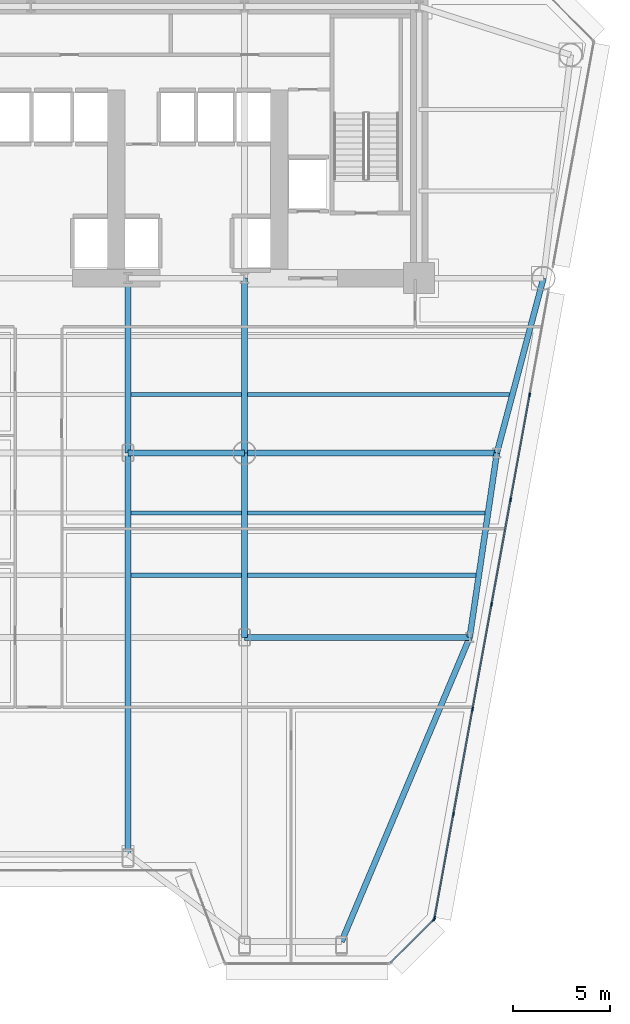
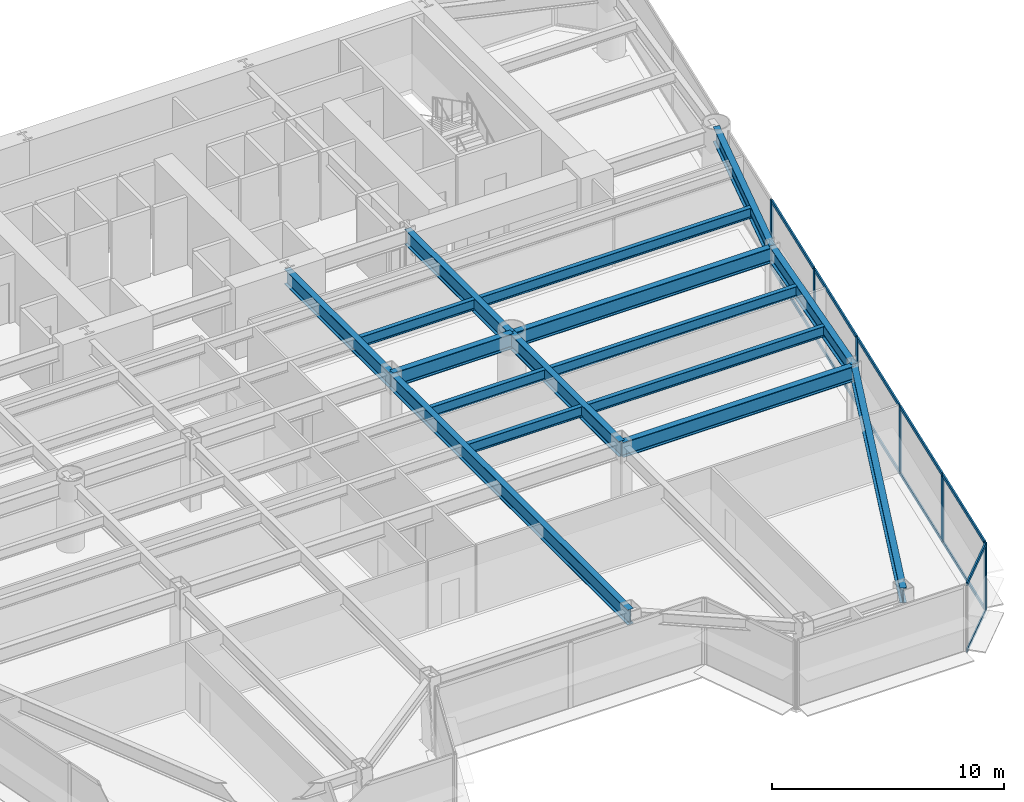
# One storey, part 4 of 14: 19 members, 16 beams, 2 elements without a shape of their own.
"""IFC4 building model written with IfcOpenShell, lengths in metres."""

from ifc_helpers import new_model, si_unit, direction, frame, origin, origin_2d, place, context, subcontext, project, spatial, rectangle, i_section, extrude, source, transform, mapped, material, layer, layer_set, material_profile, profile_set, type_object, element, aggregate, save


model = new_model("IFC4")

# Units and contexts
model_context = context("Model", 3, precision=1e-05, world=origin(), true_north=direction((0.0, 1.0)))
body_context = subcontext(model_context, "Body", "Model", "MODEL_VIEW")
ifc_project = project(units=[si_unit("LENGTHUNIT", "METRE"), si_unit("AREAUNIT", "SQUARE_METRE"), si_unit("VOLUMEUNIT", "CUBIC_METRE"), si_unit("PLANEANGLEUNIT", "RADIAN"), si_unit("MASSUNIT", "GRAM", prefix="KILO")], contexts=[model_context])

# Site, building, storey
site_placement = place(None, origin())
site = spatial("IfcSite", under=ifc_project, at=site_placement, CompositionType="ELEMENT")
building_placement = place(site_placement, origin())
building = spatial("IfcBuilding", under=site, at=building_placement, Name="Vaeldorn Concourse Tower", CompositionType="ELEMENT")
storey_placement = place(building_placement, frame((0.0, 0.0, 37.800048828125)))
storey = spatial("IfcBuildingStorey", under=building, at=storey_placement, Name="L09", CompositionType="ELEMENT", Elevation=37.800048828125)

# Beams
ifc_material_1 = material(Name="Steel S355", Category="steel")
ifc_material_profile_1 = material_profile(ifc_material_1, i_section(OverallWidth=0.300048828125, OverallDepth=0.800048828125, WebThickness=0.017578125, FlangeThickness=0.032958984375, FilletRadius=0.030029296875, at=origin_2d()), Name="HEB 800")
ifc_profile_set_1 = profile_set([ifc_material_profile_1], Name="Steel S355")
beam_type_1 = type_object("IfcBeamType", Name="BM-PG-HEB800", PredefinedType="BEAM", material=ifc_profile_set_1)
shared_shape_1 = source(origin(), body_context, "Body", "SweptSolid", [
    extrude(i_section(OverallWidth=0.300048828125, OverallDepth=0.800048828125, WebThickness=0.017578125, FlangeThickness=0.032958984375, FilletRadius=0.030029296875, at=origin_2d()), origin(), (0.0, 0.0, 1.0), 6.0),
])
beam_1_placement = place(storey_placement, frame((39.0, 27.5, 3.179931640625), z_axis=(1.0, 0.0, 0.0), x_axis=(0.0, 1.0, 0.0)))
element("IfcBeam", 1, at=beam_1_placement, inside=storey, type_object=beam_type_1, Name="Beam BM-L09-C-TW3-C-TW4", PredefinedType="BEAM", context=body_context, shape_type="MappedRepresentation", body=[
    mapped(shared_shape_1, transform((0.0, 0.0, 0.0), scale=1.0)),
])
shared_shape_2 = source(origin(), body_context, "Body", "SweptSolid", [
    extrude(i_section(OverallWidth=0.300048828125, OverallDepth=0.800048828125, WebThickness=0.017578125, FlangeThickness=0.032958984375, FilletRadius=0.030029296875, at=origin_2d()), origin(), (0.0, 0.0, 1.0), 9.0),
])
for number, where, z_axis, x_axis, name in (
    (2, (39.0, 27.5, 3.179931640625), (0.0, 1.0, 0.0), (-1.0, 0.0, 0.0), "Beam BM-L09-C-TW3-C-FC4"),
    (3, (45.0, 27.5, 3.179931640625), (0.0, 1.0, 0.0), (-1.0, 0.0, 0.0), "Beam BM-L09-C-TW4-C-FC5"),
):
    element("IfcBeam", number, at=place(storey_placement, frame(where, z_axis=z_axis, x_axis=x_axis)), inside=storey, type_object=beam_type_1, Name=name, PredefinedType="BEAM", context=body_context, shape_type="MappedRepresentation", body=[
        mapped(shared_shape_2, transform((0.0, 0.0, 0.0), scale=1.0)),
    ])
shared_shape_3 = source(origin(), body_context, "Body", "SweptSolid", [
    extrude(i_section(OverallWidth=0.300048828125, OverallDepth=0.800048828125, WebThickness=0.017578125, FlangeThickness=0.032958984375, FilletRadius=0.030029296875, at=origin_2d()), origin(), (0.0, 0.0, 1.0), 9.314453125),
])
beam_2_placement = place(storey_placement, frame((60.39990234375, 36.5, 3.179931640625), z_axis=(-0.257652862255, -0.966237549763, 0.0), x_axis=(0.966237549763, -0.257652862255, 0.0)))
element("IfcBeam", 4, at=beam_2_placement, inside=storey, type_object=beam_type_1, Name="Beam BM-L09-C-NE2-C-FLE1", PredefinedType="BEAM", context=body_context, shape_type="MappedRepresentation", body=[
    mapped(shared_shape_3, transform((0.0, 0.0, 0.0), scale=1.0)),
])
shared_shape_4 = source(origin(), body_context, "Body", "SweptSolid", [
    extrude(i_section(OverallWidth=0.300048828125, OverallDepth=0.800048828125, WebThickness=0.017578125, FlangeThickness=0.032958984375, FilletRadius=0.030029296875, at=origin_2d()), origin(), (0.0, 0.0, 1.0), 13.0),
])
beam_3_placement = place(storey_placement, frame((45.0, 27.5, 3.179931640625), z_axis=(1.0, 0.0, 0.0), x_axis=(0.0, 1.0, 0.0)))
element("IfcBeam", 5, at=beam_3_placement, inside=storey, type_object=beam_type_1, Name="Beam BM-L09-C-TW4-C-FLE1", PredefinedType="BEAM", context=body_context, shape_type="MappedRepresentation", body=[
    mapped(shared_shape_4, transform((0.0, 0.0, 0.0), scale=1.0)),
])
shared_shape_5 = source(origin(), body_context, "Body", "SweptSolid", [
    extrude(i_section(OverallWidth=0.300048828125, OverallDepth=0.800048828125, WebThickness=0.017578125, FlangeThickness=0.032958984375, FilletRadius=0.030029296875, at=origin_2d()), origin(), (0.0, 0.0, 1.0), 9.6025390625),
])
beam_4_placement = place(storey_placement, frame((58.0, 27.5, 3.179931640625), z_axis=(-0.145783835977, -0.989316467652, 0.0), x_axis=(0.989316467652, -0.145783835977, 0.0)))
element("IfcBeam", 6, at=beam_4_placement, inside=storey, type_object=beam_type_1, Name="Beam BM-L09-C-FLE1-C-FLE2", PredefinedType="BEAM", context=body_context, shape_type="MappedRepresentation", body=[
    mapped(shared_shape_5, transform((0.0, 0.0, 0.0), scale=1.0)),
])
shared_shape_6 = source(origin(), body_context, "Body", "SweptSolid", [
    extrude(i_section(OverallWidth=0.300048828125, OverallDepth=0.800048828125, WebThickness=0.017578125, FlangeThickness=0.032958984375, FilletRadius=0.030029296875, at=origin_2d()), origin(), (0.0, 0.0, 1.0), 11.60009765625),
])
beam_5_placement = place(storey_placement, frame((45.0, 18.0, 3.179931640625), z_axis=(1.0, 0.0, 0.0), x_axis=(0.0, 1.0, 0.0)))
element("IfcBeam", 7, at=beam_5_placement, inside=storey, type_object=beam_type_1, Name="Beam BM-L09-C-TW6-C-FLE2", PredefinedType="BEAM", context=body_context, shape_type="MappedRepresentation", body=[
    mapped(shared_shape_6, transform((0.0, 0.0, 0.0), scale=1.0)),
])
shared_shape_7 = source(origin(), body_context, "Body", "SweptSolid", [
    extrude(i_section(OverallWidth=0.300048828125, OverallDepth=0.800048828125, WebThickness=0.017578125, FlangeThickness=0.032958984375, FilletRadius=0.030029296875, at=origin_2d()), origin(), (0.0, 0.0, 1.0), 9.5),
])
beam_6_placement = place(storey_placement, frame((45.0, 18.0, 3.179931640625), z_axis=(0.0, 1.0, 0.0), x_axis=(-1.0, 0.0, 0.0)))
element("IfcBeam", 8, at=beam_6_placement, inside=storey, type_object=beam_type_1, Name="Beam BM-L09-C-TW6-C-TW4", PredefinedType="BEAM", context=body_context, shape_type="MappedRepresentation", body=[
    mapped(shared_shape_7, transform((0.0, 0.0, 0.0), scale=1.0)),
])
ifc_material_profile_2 = material_profile(ifc_material_1, i_section(OverallWidth=0.2099609375, OverallDepth=0.550048828125, WebThickness=0.010986328125, FlangeThickness=0.01708984375, FilletRadius=0.02392578125, at=origin_2d()), Name="IPE 550")
ifc_profile_set_2 = profile_set([ifc_material_profile_2], Name="Steel S355")
beam_type_2 = type_object("IfcBeamType", Name="BM-JS-IPE550", PredefinedType="JOIST", material=ifc_profile_set_2)
shared_shape_8 = source(origin(), body_context, "Body", "SweptSolid", [
    extrude(i_section(OverallWidth=0.2099609375, OverallDepth=0.550048828125, WebThickness=0.010986328125, FlangeThickness=0.01708984375, FilletRadius=0.02392578125, at=origin_2d()), origin(), (0.0, 0.0, 1.0), 11.771728515625),
])
beam_7_placement = place(storey_placement, frame((45.14990234375, 21.199951171875, 3.304931640625), z_axis=(1.0, 0.0, 0.0), x_axis=(0.0, 1.0, 0.0)))
element("IfcBeam", 9, at=beam_7_placement, inside=storey, type_object=beam_type_2, Name="Beam JS-L09-E1-212", PredefinedType="JOIST", context=body_context, shape_type="MappedRepresentation", body=[
    mapped(shared_shape_8, transform((0.0, 0.0, 0.0), scale=1.0)),
])
shared_shape_9 = source(origin(), body_context, "Body", "SweptSolid", [
    extrude(i_section(OverallWidth=0.2099609375, OverallDepth=0.550048828125, WebThickness=0.010986328125, FlangeThickness=0.01708984375, FilletRadius=0.02392578125, at=origin_2d()), origin(), (0.0, 0.0, 1.0), 5.7001953125),
])
for number, where, z_axis, x_axis, name in (
    (10, (39.14990234375, 21.199951171875, 3.304931640625), (1.0, 0.0, 0.0), (0.0, 1.0, 0.0), "Beam JS-L09-E2-212"),
    (11, (39.14990234375, 24.39990234375, 3.304931640625), (1.0, 0.0, 0.0), (0.0, 1.0, 0.0), "Beam JS-L09-E2-244"),
    (12, (39.14990234375, 30.5, 3.304931640625), (1.0, 0.0, 0.0), (0.0, 1.0, 0.0), "Beam JS-L09-E2-305"),
):
    element("IfcBeam", number, at=place(storey_placement, frame(where, z_axis=z_axis, x_axis=x_axis)), inside=storey, type_object=beam_type_2, Name=name, PredefinedType="JOIST", context=body_context, shape_type="MappedRepresentation", body=[
        mapped(shared_shape_9, transform((0.0, 0.0, 0.0), scale=1.0)),
    ])
shared_shape_10 = source(origin(), body_context, "Body", "SweptSolid", [
    extrude(i_section(OverallWidth=0.2099609375, OverallDepth=0.550048828125, WebThickness=0.010986328125, FlangeThickness=0.01708984375, FilletRadius=0.02392578125, at=origin_2d()), origin(), (0.0, 0.0, 1.0), 12.243408203125),
])
beam_8_placement = place(storey_placement, frame((45.14990234375, 24.39990234375, 3.304931640625), z_axis=(1.0, 0.0, 0.0), x_axis=(0.0, 1.0, 0.0)))
element("IfcBeam", 13, at=beam_8_placement, inside=storey, type_object=beam_type_2, Name="Beam JS-L09-E1-244", PredefinedType="JOIST", context=body_context, shape_type="MappedRepresentation", body=[
    mapped(shared_shape_10, transform((0.0, 0.0, 0.0), scale=1.0)),
])
shared_shape_11 = source(origin(), body_context, "Body", "SweptSolid", [
    extrude(i_section(OverallWidth=0.2099609375, OverallDepth=0.550048828125, WebThickness=0.010986328125, FlangeThickness=0.01708984375, FilletRadius=0.02392578125, at=origin_2d()), origin(), (0.0, 0.0, 1.0), 13.5),
])
beam_9_placement = place(storey_placement, frame((45.14990234375, 30.5, 3.304931640625), z_axis=(1.0, 0.0, 0.0), x_axis=(0.0, 1.0, 0.0)))
element("IfcBeam", 14, at=beam_9_placement, inside=storey, type_object=beam_type_2, Name="Beam JS-L09-E1-305", PredefinedType="JOIST", context=body_context, shape_type="MappedRepresentation", body=[
    mapped(shared_shape_11, transform((0.0, 0.0, 0.0), scale=1.0)),
])
shared_shape_12 = source(origin(), body_context, "Body", "SweptSolid", [
    extrude(i_section(OverallWidth=0.300048828125, OverallDepth=0.800048828125, WebThickness=0.017578125, FlangeThickness=0.032958984375, FilletRadius=0.030029296875, at=origin_2d()), origin(), (0.0, 0.0, 1.0), 16.9990234375),
])
beam_10_placement = place(storey_placement, frame((50.0, 2.33447265625, 3.179931640625), z_axis=(0.388261166886, 0.921549383532, 0.0), x_axis=(-0.921549383532, 0.388261166886, 0.0)))
element("IfcBeam", 15, at=beam_10_placement, inside=storey, type_object=beam_type_1, Name="Beam BM-L09-C-SF6-C-FLE2", PredefinedType="BEAM", context=body_context, shape_type="MappedRepresentation", body=[
    mapped(shared_shape_12, transform((0.0, 0.0, 0.0), scale=1.0)),
])
shared_shape_13 = source(origin(), body_context, "Body", "SweptSolid", [
    extrude(i_section(OverallWidth=0.300048828125, OverallDepth=0.800048828125, WebThickness=0.017578125, FlangeThickness=0.032958984375, FilletRadius=0.030029296875, at=origin_2d()), origin(), (0.0, 0.0, 1.0), 20.66552734375),
])
beam_11_placement = place(storey_placement, frame((39.0, 6.83447265625, 3.179931640625), z_axis=(0.0, 1.0, 0.0), x_axis=(-1.0, 0.0, 0.0)))
element("IfcBeam", 16, at=beam_11_placement, inside=storey, type_object=beam_type_1, Name="Beam BM-L09-C-SF4-C-TW3", PredefinedType="BEAM", context=body_context, shape_type="MappedRepresentation", body=[
    mapped(shared_shape_13, transform((0.0, 0.0, 0.0), scale=1.0)),
])

# Curtain wall, member
ifc_material_2 = material(Name="Anodised Bronze Aluminium", Category="aluminium")
ifc_layer = layer(ifc_material_2, 0.219970703125)
ifc_layer_set = layer_set([ifc_layer], Name="Anodised Bronze Aluminium")
curtain_wall_type = type_object("IfcCurtainWallType", Name="CW-SYS-01", PredefinedType="NOTDEFINED", material=ifc_layer_set)
curtain_wall_1_placement = place(storey_placement, origin())
curtain_wall_1 = element("IfcCurtainWall", 17, at=curtain_wall_1_placement, inside=storey, type_object=curtain_wall_type, Name="Unitised Curtain Wall CW-L09-E06-1", PredefinedType="NOTDEFINED")
ifc_material_profile_3 = material_profile(ifc_material_2, rectangle(XDim=0.074951171875, YDim=0.219970703125, at=origin_2d()), Name="CWM 75x220")
ifc_profile_set_3 = profile_set([ifc_material_profile_3], Name="Anodised Bronze Aluminium")
member_type_1 = type_object("IfcMemberType", Name="CWM-BRONZE-220", PredefinedType="MULLION", material=ifc_profile_set_3)
shared_shape_14 = source(origin(), body_context, "Body", "SweptSolid", [
    extrude(rectangle(XDim=0.074951171875, YDim=0.219970703125, at=origin_2d()), origin(), (0.0, 0.0, 1.0), 3.579833984375),
])
member_1_placement = place(storey_placement, frame((54.755615234375, 3.468994140625, 0.0), z_axis=(0.0, 0.0, 1.0), x_axis=(-0.707106781187, 0.707106781187, 0.0)))
member_1 = element("IfcMember", 18, at=member_1_placement, type_object=member_type_1, Name="CW-01 mullion 2", PredefinedType="MULLION", context=body_context, shape_type="MappedRepresentation", body=[
    mapped(shared_shape_14, transform((0.0, 0.0, 0.0), scale=1.0)),
])

# Curtain wall, members
curtain_wall_2_placement = place(storey_placement, origin())
curtain_wall_2 = element("IfcCurtainWall", 19, at=curtain_wall_2_placement, inside=storey, type_object=curtain_wall_type, Name="Unitised Curtain Wall CW-L09-E07-1", PredefinedType="NOTDEFINED")
member_2_placement = place(storey_placement, frame((54.788818359375, 3.5322265625, 0.0), z_axis=(0.0, 0.0, 1.0), x_axis=(-0.98387472201, 0.178858970673, 0.0)))
member_2 = element("IfcMember", 20, at=member_2_placement, type_object=member_type_1, Name="CW-01 mullion 1", PredefinedType="MULLION", context=body_context, shape_type="MappedRepresentation", body=[
    mapped(shared_shape_14, transform((0.0, 0.0, 0.0), scale=1.0)),
])
member_3_placement = place(storey_placement, frame((55.763427734375, 8.892822265625, 0.0), z_axis=(0.0, 0.0, 1.0), x_axis=(-0.98387472201, 0.178858970673, 0.0)))
member_3 = element("IfcMember", 21, at=member_3_placement, type_object=member_type_1, Name="CW-01 mullion 2", PredefinedType="MULLION", context=body_context, shape_type="MappedRepresentation", body=[
    mapped(shared_shape_14, transform((0.0, 0.0, 0.0), scale=1.0)),
])
member_4_placement = place(storey_placement, frame((56.74462890625, 14.29052734375, 0.0), z_axis=(0.0, 0.0, 1.0), x_axis=(-0.98387472201, 0.178858970673, 0.0)))
member_4 = element("IfcMember", 22, at=member_4_placement, type_object=member_type_1, Name="CW-01 mullion 3", PredefinedType="MULLION", context=body_context, shape_type="MappedRepresentation", body=[
    mapped(shared_shape_14, transform((0.0, 0.0, 0.0), scale=1.0)),
])
member_5_placement = place(storey_placement, frame((57.725830078125, 19.68798828125, 0.0), z_axis=(0.0, 0.0, 1.0), x_axis=(-0.98387472201, 0.178858970673, 0.0)))
member_5 = element("IfcMember", 23, at=member_5_placement, type_object=member_type_1, Name="CW-01 mullion 4", PredefinedType="MULLION", context=body_context, shape_type="MappedRepresentation", body=[
    mapped(shared_shape_14, transform((0.0, 0.0, 0.0), scale=1.0)),
])
member_6_placement = place(storey_placement, frame((58.70703125, 25.08544921875, 0.0), z_axis=(0.0, 0.0, 1.0), x_axis=(-0.98387472201, 0.178858970673, 0.0)))
member_6 = element("IfcMember", 24, at=member_6_placement, type_object=member_type_1, Name="CW-01 mullion 5", PredefinedType="MULLION", context=body_context, shape_type="MappedRepresentation", body=[
    mapped(shared_shape_14, transform((0.0, 0.0, 0.0), scale=1.0)),
])
member_7_placement = place(storey_placement, frame((59.688232421875, 30.48291015625, 0.0), z_axis=(0.0, 0.0, 1.0), x_axis=(-0.98387472201, 0.178858970673, 0.0)))
member_7 = element("IfcMember", 25, at=member_7_placement, type_object=member_type_1, Name="CW-01 mullion 6", PredefinedType="MULLION", context=body_context, shape_type="MappedRepresentation", body=[
    mapped(shared_shape_14, transform((0.0, 0.0, 0.0), scale=1.0)),
])

# Member
ifc_material_profile_4 = material_profile(ifc_material_2, rectangle(XDim=0.074951171875, YDim=0.179931640625, at=origin_2d()), Name="CWT 75x180")
ifc_profile_set_4 = profile_set([ifc_material_profile_4], Name="Anodised Bronze Aluminium")
member_type_2 = type_object("IfcMemberType", Name="CWT-BRONZE-180", PredefinedType="USERDEFINED", material=ifc_profile_set_4)
shared_shape_15 = source(origin(), body_context, "Body", "SweptSolid", [
    extrude(rectangle(XDim=0.074951171875, YDim=0.179931640625, at=origin_2d()), origin(), (0.0, 0.0, 1.0), 3.102783203125),
])
member_8_placement = place(storey_placement, frame((52.53515625, 1.24853515625, 0.037353515625), z_axis=(0.707146122816, 0.707067437368, 0.0), x_axis=(-0.707067437368, 0.707146122816, 0.0)))
member_8 = element("IfcMember", 26, at=member_8_placement, type_object=member_type_2, Name="CW-01 transom 1.1", ObjectType="TRANSOM", PredefinedType="USERDEFINED", context=body_context, shape_type="MappedRepresentation", body=[
    mapped(shared_shape_15, transform((0.0, 0.0, 0.0), scale=1.0)),
])

member_9_placement = place(storey_placement, frame((52.53515625, 1.24853515625, 3.54248046875), z_axis=(0.707146122816, 0.707067437368, 0.0), x_axis=(-0.707067437368, 0.707146122816, 0.0)))
member_9 = element("IfcMember", 27, at=member_9_placement, type_object=member_type_2, Name="CW-01 transom 1.2", ObjectType="TRANSOM", PredefinedType="USERDEFINED", context=body_context, shape_type="MappedRepresentation", body=[
    mapped(shared_shape_15, transform((0.0, 0.0, 0.0), scale=1.0)),
])

aggregate(curtain_wall_1, [member_1, member_8, member_9])

shared_shape_16 = source(origin(), body_context, "Body", "SweptSolid", [
    extrude(rectangle(XDim=0.074951171875, YDim=0.179931640625, at=origin_2d()), origin(), (0.0, 0.0, 1.0), 5.37353515625),
])
member_10_placement = place(storey_placement, frame((54.795654296875, 3.569091796875, 0.037353515625), z_axis=(0.178829462835, 0.983880085794, 0.0), x_axis=(-0.983880085794, 0.178829462835, 0.0)))
member_10 = element("IfcMember", 28, at=member_10_placement, type_object=member_type_2, Name="CW-01 transom 1.1", ObjectType="TRANSOM", PredefinedType="USERDEFINED", context=body_context, shape_type="MappedRepresentation", body=[
    mapped(shared_shape_16, transform((0.0, 0.0, 0.0), scale=1.0)),
])

member_11_placement = place(storey_placement, frame((54.795654296875, 3.569091796875, 3.54248046875), z_axis=(0.178829462835, 0.983880085794, 0.0), x_axis=(-0.983880085794, 0.178829462835, 0.0)))
member_11 = element("IfcMember", 29, at=member_11_placement, type_object=member_type_2, Name="CW-01 transom 1.2", ObjectType="TRANSOM", PredefinedType="USERDEFINED", context=body_context, shape_type="MappedRepresentation", body=[
    mapped(shared_shape_16, transform((0.0, 0.0, 0.0), scale=1.0)),
])

shared_shape_17 = source(origin(), body_context, "Body", "SweptSolid", [
    extrude(rectangle(XDim=0.074951171875, YDim=0.179931640625, at=origin_2d()), origin(), (0.0, 0.0, 1.0), 5.410888671875),
])
member_12_placement = place(storey_placement, frame((55.77001953125, 8.929931640625, 0.037353515625), z_axis=(0.178905291462, 0.983866300209, 0.0), x_axis=(-0.983866300209, 0.178905291462, 0.0)))
member_12 = element("IfcMember", 30, at=member_12_placement, type_object=member_type_2, Name="CW-01 transom 2.1", ObjectType="TRANSOM", PredefinedType="USERDEFINED", context=body_context, shape_type="MappedRepresentation", body=[
    mapped(shared_shape_17, transform((0.0, 0.0, 0.0), scale=1.0)),
])

member_13_placement = place(storey_placement, frame((55.77001953125, 8.929931640625, 3.54248046875), z_axis=(0.178905291462, 0.983866300209, 0.0), x_axis=(-0.983866300209, 0.178905291462, 0.0)))
member_13 = element("IfcMember", 31, at=member_13_placement, type_object=member_type_2, Name="CW-01 transom 2.2", ObjectType="TRANSOM", PredefinedType="USERDEFINED", context=body_context, shape_type="MappedRepresentation", body=[
    mapped(shared_shape_17, transform((0.0, 0.0, 0.0), scale=1.0)),
])

member_14_placement = place(storey_placement, frame((57.732666015625, 19.724853515625, 0.037353515625), z_axis=(0.178853673983, 0.983875684882, 0.0), x_axis=(-0.983875684882, 0.178853673983, 0.0)))
member_14 = element("IfcMember", 32, at=member_14_placement, type_object=member_type_2, Name="CW-01 transom 4.1", ObjectType="TRANSOM", PredefinedType="USERDEFINED", context=body_context, shape_type="MappedRepresentation", body=[
    mapped(shared_shape_17, transform((0.0, 0.0, 0.0), scale=1.0)),
])

member_15_placement = place(storey_placement, frame((57.732666015625, 19.724853515625, 3.54248046875), z_axis=(0.178853673983, 0.983875684882, 0.0), x_axis=(-0.983875684882, 0.178853673983, 0.0)))
member_15 = element("IfcMember", 33, at=member_15_placement, type_object=member_type_2, Name="CW-01 transom 4.2", ObjectType="TRANSOM", PredefinedType="USERDEFINED", context=body_context, shape_type="MappedRepresentation", body=[
    mapped(shared_shape_17, transform((0.0, 0.0, 0.0), scale=1.0)),
])

member_16_placement = place(storey_placement, frame((58.7138671875, 25.122314453125, 0.037353515625), z_axis=(0.178853673983, 0.983875684882, 0.0), x_axis=(-0.983875684882, 0.178853673983, 0.0)))
member_16 = element("IfcMember", 34, at=member_16_placement, type_object=member_type_2, Name="CW-01 transom 5.1", ObjectType="TRANSOM", PredefinedType="USERDEFINED", context=body_context, shape_type="MappedRepresentation", body=[
    mapped(shared_shape_17, transform((0.0, 0.0, 0.0), scale=1.0)),
])

member_17_placement = place(storey_placement, frame((58.7138671875, 25.122314453125, 3.54248046875), z_axis=(0.178853673983, 0.983875684882, 0.0), x_axis=(-0.983875684882, 0.178853673983, 0.0)))
member_17 = element("IfcMember", 35, at=member_17_placement, type_object=member_type_2, Name="CW-01 transom 5.2", ObjectType="TRANSOM", PredefinedType="USERDEFINED", context=body_context, shape_type="MappedRepresentation", body=[
    mapped(shared_shape_17, transform((0.0, 0.0, 0.0), scale=1.0)),
])

shared_shape_18 = source(origin(), body_context, "Body", "SweptSolid", [
    extrude(rectangle(XDim=0.074951171875, YDim=0.179931640625, at=origin_2d()), origin(), (0.0, 0.0, 1.0), 5.4111328125),
])
member_18_placement = place(storey_placement, frame((56.751220703125, 14.327392578125, 0.037353515625), z_axis=(0.178897349637, 0.98386774431, 0.0), x_axis=(-0.98386774431, 0.178897349637, 0.0)))
member_18 = element("IfcMember", 36, at=member_18_placement, type_object=member_type_2, Name="CW-01 transom 3.1", ObjectType="TRANSOM", PredefinedType="USERDEFINED", context=body_context, shape_type="MappedRepresentation", body=[
    mapped(shared_shape_18, transform((0.0, 0.0, 0.0), scale=1.0)),
])

member_19_placement = place(storey_placement, frame((56.751220703125, 14.327392578125, 3.54248046875), z_axis=(0.178897349637, 0.98386774431, 0.0), x_axis=(-0.98386774431, 0.178897349637, 0.0)))
member_19 = element("IfcMember", 37, at=member_19_placement, type_object=member_type_2, Name="CW-01 transom 3.2", ObjectType="TRANSOM", PredefinedType="USERDEFINED", context=body_context, shape_type="MappedRepresentation", body=[
    mapped(shared_shape_18, transform((0.0, 0.0, 0.0), scale=1.0)),
])

aggregate(curtain_wall_2, [member_2, member_3, member_4, member_5, member_6, member_7, member_10, member_11, member_12, member_13, member_18, member_19, member_14, member_15, member_16, member_17])

save(model, "model.ifc")
